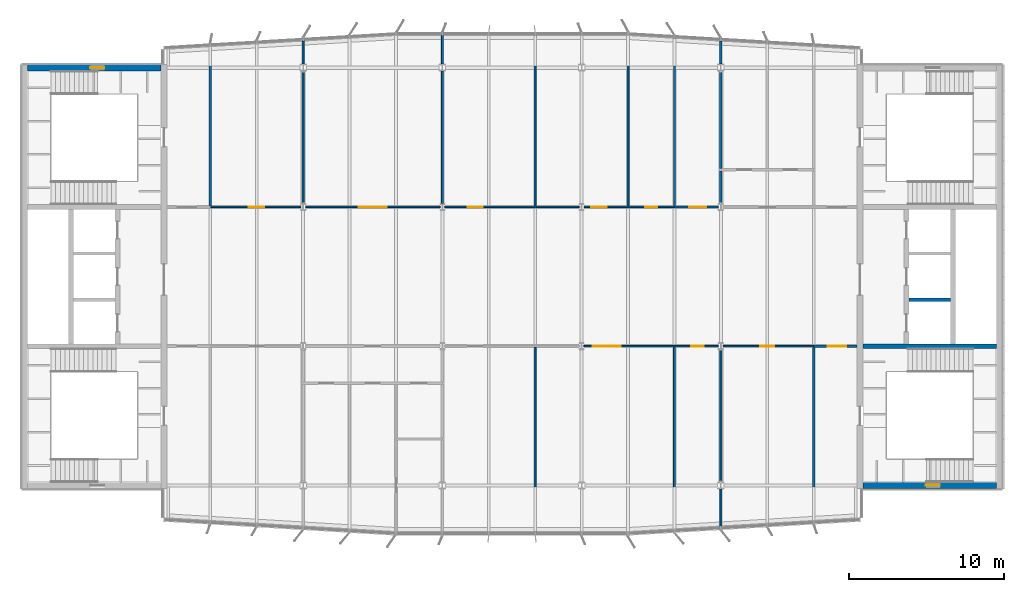
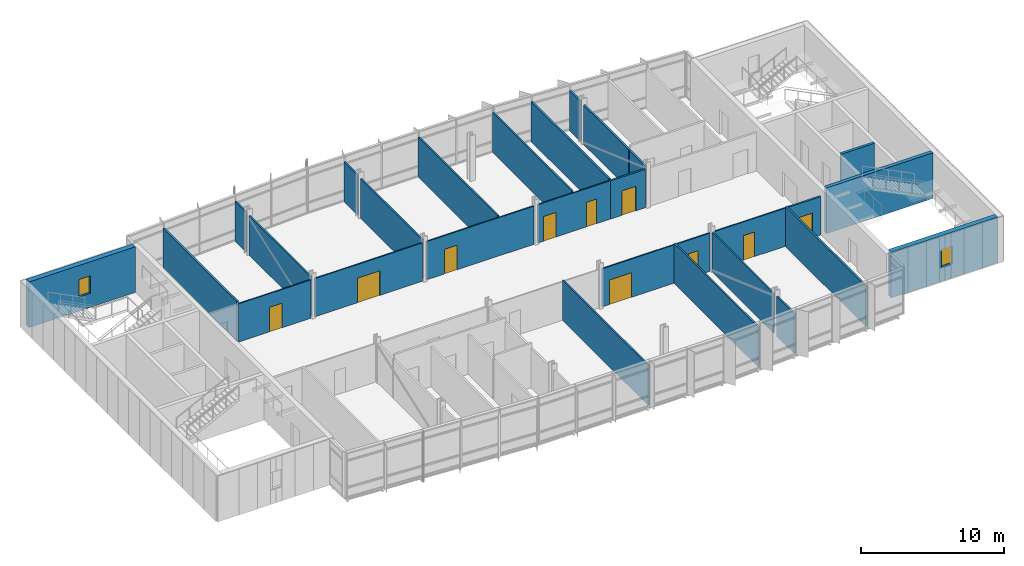
# One storey, part 13 of 18: 28 walls, 10 doors, 2 windows, 12 openings.
"""IFC4 building model written with IfcOpenShell, lengths in metres."""

import ifcopenshell
import ifcopenshell.guid

model = None  # the IFC model being written
_history = None  # IfcOwnerHistory: only IFC2X3 demands one
_inside = {}  # id of a spatial element -> (the spatial element, [elements in it])
_under = {}  # id of a project, library or spatial element -> (it, [spatial elements below it])
_declared = {}  # id of a project -> (the project, [libraries it declares])
_typed = {}  # id of a type object -> (the type object, [elements of that type])
_made_of = {}  # id of a material, layer set ... -> (it, [elements and type objects made of it])


def new_model(schema):
    """Start an empty IFC model of exactly this schema.

    Asked for "IFC4X3", IfcOpenShell would pick the latest addendum, in which some entities
    have other attributes; the version numbers below select the first issue.
    IFC2X3 requires an IfcOwnerHistory on every rooted entity: one is made here for all.
    """
    global model, _history
    if schema == "IFC4X3":
        model = ifcopenshell.file(schema_version=(4, 3, 0, 0))
    else:
        model = ifcopenshell.file(schema=schema)
    _inside.clear()
    _under.clear()
    _declared.clear()
    _typed.clear()
    _made_of.clear()
    _history = None
    if model.schema == "IFC2X3":
        org = make("IfcOrganization", Name="unknown")
        user = make(
            "IfcPersonAndOrganization",
            ThePerson=make("IfcPerson", FamilyName="unknown"),
            TheOrganization=org,
        )
        app = make(
            "IfcApplication",
            ApplicationDeveloper=org,
            Version="unknown",
            ApplicationFullName="unknown",
            ApplicationIdentifier="unknown",
        )
        _history = make(
            "IfcOwnerHistory",
            OwningUser=user,
            OwningApplication=app,
            ChangeAction="ADDED",
            CreationDate=0,
        )
    return model


def make(cls, **values):
    """One entity of the class cls with the attributes given. An attribute that is None is left unset."""
    return model.create_entity(
        cls, **{name: value for name, value in values.items() if value is not None}
    )


def rooted(cls, **values):
    """An entity with a GlobalId (a new one), such as an element, a storey or a relation."""
    return make(cls, GlobalId=ifcopenshell.guid.new(), OwnerHistory=_history, **values)


def si_unit(unit_type, name, prefix=None):
    """IfcSIUnit, for example si_unit("LENGTHUNIT", "METRE", prefix="MILLI")."""
    return make("IfcSIUnit", UnitType=unit_type, Prefix=prefix, Name=name)


def assignment(units):
    """IfcUnitAssignment: the units of a project."""
    return None if units is None else make("IfcUnitAssignment", Units=units)


def point(xyz):
    """IfcCartesianPoint."""
    return None if xyz is None else make("IfcCartesianPoint", Coordinates=xyz)


def direction(xyz):
    """IfcDirection."""
    return None if xyz is None else make("IfcDirection", DirectionRatios=xyz)


def frame(location, z_axis=None, x_axis=None):
    """IfcAxis2Placement3D, a coordinate frame: its origin and axes. An axis left out is left unset."""
    return make(
        "IfcAxis2Placement3D",
        Location=point(location),
        Axis=direction(z_axis),
        RefDirection=direction(x_axis),
    )


def frame_2d(location, x_axis=None):
    """IfcAxis2Placement2D, a coordinate frame in the plane: its origin and x axis."""
    return make(
        "IfcAxis2Placement2D", Location=point(location), RefDirection=direction(x_axis)
    )


def origin():
    """The frame at (0, 0, 0) with its axes left unset."""
    return frame((0.0, 0.0, 0.0))


def place(relative_to, where):
    """IfcLocalPlacement: puts the frame where relative to a parent placement (None: the world)."""
    return make(
        "IfcLocalPlacement", PlacementRelTo=relative_to, RelativePlacement=where
    )


def context(
    kind, dimensions, precision=None, world=None, true_north=None, identifier=None
):
    """IfcGeometricRepresentationContext, for example the 3D "Model" context."""
    return make(
        "IfcGeometricRepresentationContext",
        ContextIdentifier=identifier,
        ContextType=kind,
        CoordinateSpaceDimension=dimensions,
        Precision=precision,
        WorldCoordinateSystem=world,
        TrueNorth=true_north,
    )


def subcontext(parent, identifier, kind, view, scale=None):
    """IfcGeometricRepresentationSubContext, for example "Body" below "Model"."""
    return make(
        "IfcGeometricRepresentationSubContext",
        ContextIdentifier=identifier,
        ContextType=kind,
        ParentContext=parent,
        TargetScale=scale,
        TargetView=view,
    )


def project(units=None, contexts=None):
    """IfcProject with its units and contexts."""
    return rooted(
        "IfcProject",
        Name="project",
        RepresentationContexts=contexts,
        UnitsInContext=assignment(units),
    )


def spatial(cls, under=None, at=None, **own):
    """A site, building, storey or space (cls), placed at a placement, below another one or the project."""
    s = rooted(cls, ObjectPlacement=at, **own)
    if under is not None:
        _under.setdefault(under.id(), (under, []))[1].append(s)
    return s


def profile(cls, at=None, kind="AREA", **sizes):
    """A parametric profile (cls). Its sizes go by their IFC names, for example OverallWidth=200.0."""
    return make(cls, ProfileType=kind, Position=at, **sizes)


def rectangle(**sizes):
    """IfcRectangleProfileDef."""
    return profile("IfcRectangleProfileDef", **sizes)


def extrude(swept, where, along, depth):
    """IfcExtrudedAreaSolid: the profile swept, set in the frame where, extruded along a direction by depth."""
    return make(
        "IfcExtrudedAreaSolid",
        SweptArea=swept,
        Position=where,
        ExtrudedDirection=direction(along),
        Depth=depth,
    )


def shape(context_of_items, identifier, shape_type, items):
    """IfcShapeRepresentation: the items that make up one representation, for example the "Body"."""
    return make(
        "IfcShapeRepresentation",
        ContextOfItems=context_of_items,
        RepresentationIdentifier=identifier,
        RepresentationType=shape_type,
        Items=items,
    )


def material(Name=None, Category=None):
    """IfcMaterial."""
    return make("IfcMaterial", Name=Name, Category=Category)


def layer(
    of_material, thickness, ventilated=None, Name=None, Category=None, Priority=None
):
    """IfcMaterialLayer: one layer of a wall or slab, of a material (None: an air gap)."""
    return make(
        "IfcMaterialLayer",
        Material=of_material,
        LayerThickness=thickness,
        IsVentilated=ventilated,
        Name=Name,
        Category=Category,
        Priority=Priority,
    )


def layer_set(layers, Name=None):
    """IfcMaterialLayerSet."""
    return make("IfcMaterialLayerSet", MaterialLayers=layers, LayerSetName=Name)


def made_of(thing, what):
    """Note that an element or type object is made of a material, layer set ...; save() writes the relation."""
    if what is not None:
        _made_of.setdefault(what.id(), (what, []))[1].append(thing)
    return thing


def type_object(cls, material=None, **own):
    """A type object (cls), such as IfcWallType, which elements share."""
    return made_of(rooted(cls, **own), material)


def element(
    cls,
    number,
    at=None,
    inside=None,
    cuts=None,
    type_object=None,
    material=None,
    context=None,
    identifier="Body",
    shape_type=None,
    held_by="IfcProductDefinitionShape",
    body=None,
    shapes=None,
    **own,
):
    """One element of the class cls, such as IfcWall. Its Tag is "e" and its number.

    at: its placement. inside: the storey or other place that contains it. cuts: it is an
    opening in that element (IfcRelVoidsElement). A single representation is given by context,
    identifier, shape_type and body (its items); several are given by shapes. held_by: the class
    of the entity that holds the representations. save() writes the other relations.
    """
    e = rooted(cls, Tag="e%d" % number, ObjectPlacement=at, **own)
    if body is not None:
        shapes = [shape(context, identifier, shape_type, body)]
    if shapes is not None:
        e.Representation = make(held_by, Representations=shapes)
    if inside is not None:
        _inside.setdefault(inside.id(), (inside, []))[1].append(e)
    if cuts is not None:
        rooted(
            "IfcRelVoidsElement", RelatingBuildingElement=cuts, RelatedOpeningElement=e
        )
    if type_object is not None:
        _typed.setdefault(type_object.id(), (type_object, []))[1].append(e)
    return made_of(e, material)


def fill(opening, filler):
    """IfcRelFillsElement: the door or window that sits in an opening."""
    return rooted(
        "IfcRelFillsElement",
        RelatingOpeningElement=opening,
        RelatedBuildingElement=filler,
    )


def aggregate(whole, parts):
    """IfcRelAggregates: a whole, such as a stair, and the parts it consists of."""
    return rooted("IfcRelAggregates", RelatingObject=whole, RelatedObjects=parts)


def save(model, path):
    """Write the relations noted so far, then the file.

    IfcRelAggregates (storeys below a building ...), IfcRelContainedInSpatialStructure (elements
    in a storey), IfcRelDefinesByType, IfcRelAssociatesMaterial and IfcRelDeclares: one each for
    every whole, place, type object, material and project.
    """
    for whole, parts in _under.values():
        aggregate(whole, parts)
    for where, things in _inside.values():
        rooted(
            "IfcRelContainedInSpatialStructure",
            RelatedElements=things,
            RelatingStructure=where,
        )
    for kind, things in _typed.values():
        rooted("IfcRelDefinesByType", RelatedObjects=things, RelatingType=kind)
    for what, things in _made_of.values():
        rooted("IfcRelAssociatesMaterial", RelatedObjects=things, RelatingMaterial=what)
    for by, libraries in _declared.values():
        rooted("IfcRelDeclares", RelatingContext=by, RelatedDefinitions=libraries)
    model.write(path)


model = new_model("IFC4")

# Units and contexts
model_context = context("Model", 3, precision=1e-05, world=origin(), true_north=direction((0.0, 1.0)))
body_context = subcontext(model_context, "Body", "Model", "MODEL_VIEW")
ifc_project = project(units=[si_unit("LENGTHUNIT", "METRE"), si_unit("AREAUNIT", "SQUARE_METRE"), si_unit("VOLUMEUNIT", "CUBIC_METRE"), si_unit("PLANEANGLEUNIT", "RADIAN"), si_unit("MASSUNIT", "GRAM", prefix="KILO")], contexts=[model_context])

# Site, building, storey
site_placement = place(None, origin())
site = spatial("IfcSite", under=ifc_project, at=site_placement, CompositionType="ELEMENT")
building_placement = place(site_placement, origin())
building = spatial("IfcBuilding", under=site, at=building_placement, Name="Azimuth Sports and Learning Centre", CompositionType="ELEMENT")
storey_placement = place(building_placement, frame((0.0, 0.0, 55.800048828125)))
storey = spatial("IfcBuildingStorey", under=building, at=storey_placement, Name="L12", CompositionType="ELEMENT", Elevation=55.800048828125)

# Wall
ifc_material_1 = material(Name="Dense masonry blockwork", Category="masonry")
ifc_layer_1 = layer(ifc_material_1, 0.199951171875)
ifc_layer_set_1 = layer_set([ifc_layer_1], Name="Dense masonry blockwork")
wall_type_1 = type_object("IfcWallType", Name="Blockwork wall 200 EI 120", PredefinedType="SOLIDWALL", material=ifc_layer_set_1)
wall_1_placement = place(storey_placement, frame((111.14990234375, 102.0, 0.0), z_axis=(0.0, 0.0, 1.0), x_axis=(1.0, 0.0, 0.0)))
element("IfcWall", 1, at=wall_1_placement, inside=storey, type_object=wall_type_1, Name="SD-E-1-L12", PredefinedType="SOLIDWALL", context=body_context, shape_type="SweptSolid", body=[
    extrude(rectangle(XDim=2.7001953125, YDim=0.199951171875, at=frame_2d((1.35009765625, 0.0))), origin(), (0.0, 0.0, 1.0), 3.89990234375),
])

# Wall, openings, doors
ifc_material_2 = material(Name="Gypsum board on steel studs", Category="steel")
ifc_layer_2 = layer(ifc_material_2, 0.10009765625)
ifc_layer_set_2 = layer_set([ifc_layer_2], Name="Gypsum board on steel studs")
wall_type_2 = type_object("IfcWallType", Name="Partition 100 EI 30", PredefinedType="PARTITIONING", material=ifc_layer_set_2)
wall_2_placement = place(storey_placement, frame((90.153564453125, 99.0, 0.0), z_axis=(0.0, 0.0, 1.0), x_axis=(1.0, 0.0, 0.0)))
wall_2 = element("IfcWall", 2, at=wall_2_placement, inside=storey, type_object=wall_type_2, Name="Partition Meeting Room 12.13 / Staff Room 12.14", PredefinedType="PARTITIONING", context=body_context, shape_type="SweptSolid", body=[
    extrude(rectangle(XDim=8.69287109375, YDim=0.10009765625, at=frame_2d((4.346435546875, 0.0))), origin(), (0.0, 0.0, 1.0), 3.27001953125),
])
opening_1_placement = place(wall_2_placement, frame((0.571533203125, 0.0, 0.0)))
opening_1 = element("IfcOpeningElement", 3, at=opening_1_placement, cuts=wall_2, Name="Opening D12-018", PredefinedType="OPENING", context=body_context, shape_type="SweptSolid", body=[
    extrude(rectangle(XDim=1.800048828125, YDim=2.10009765625, at=frame_2d((0.89990234375, 1.050048828125))), frame((0.0, 0.06103515625, 0.0), z_axis=(0.0, -1.0, 0.0), x_axis=(1.0, 0.0, 0.0)), (0.0, 0.0, 1.0), 0.1220703125),
])
opening_2_placement = place(wall_2_placement, frame((6.946533203125, 0.0, 0.0)))
opening_2 = element("IfcOpeningElement", 4, at=opening_2_placement, cuts=wall_2, Name="Opening D12-019", PredefinedType="OPENING", context=body_context, shape_type="SweptSolid", body=[
    extrude(rectangle(XDim=0.800048828125, YDim=2.10009765625, at=frame_2d((0.39990234375, 1.050048828125))), frame((0.0, 0.06103515625, 0.0), z_axis=(0.0, -1.0, 0.0), x_axis=(1.0, 0.0, 0.0)), (0.0, 0.0, 1.0), 0.1220703125),
])
ifc_material_3 = material(Name="Painted steel door set", Category="steel")
door_type_1 = type_object("IfcDoorType", Name="Fire door FD30S 1800 x 2100 double leaf", OperationType="DOUBLE_DOOR_SINGLE_SWING", PredefinedType="DOOR", material=ifc_material_3)
door_1_placement = place(opening_1_placement, frame((1.800048828125, 0.0, 0.0), z_axis=(0.0, 0.0, 1.0), x_axis=(-1.0, 0.0, 0.0)))
door_1 = element("IfcDoor", 5, at=door_1_placement, inside=storey, type_object=door_type_1, Name="Door Staff Room 12.14 / Learning Street", OperationType="DOUBLE_DOOR_SINGLE_SWING", OverallHeight=2.10009765625, OverallWidth=1.800048828125, PredefinedType="DOOR", context=body_context, shape_type="SweptSolid", body=[
    extrude(rectangle(XDim=1.800048828125, YDim=2.10009765625, at=frame_2d((0.89990234375, 1.050048828125))), frame((0.0, 0.02490234375, 0.0), z_axis=(0.0, -1.0, 0.0), x_axis=(1.0, 0.0, 0.0)), (0.0, 0.0, 1.0), 0.050048828125),
])
fill(opening_1, door_1)
ifc_material_4 = material(Name="Painted steel door set", Category="steel")
door_type_2 = type_object("IfcDoorType", Name="Fire door FD30S 800 x 2100", OperationType="NOTDEFINED", PredefinedType="DOOR", material=ifc_material_4)
door_2_placement = place(opening_2_placement, frame((0.800048828125, 0.0, 0.0), z_axis=(0.0, 0.0, 1.0), x_axis=(-1.0, 0.0, 0.0)))
door_2 = element("IfcDoor", 6, at=door_2_placement, inside=storey, type_object=door_type_2, Name="Door Records Store 12.15 / Learning Street", OperationType="SINGLE_SWING_LEFT", OverallHeight=2.10009765625, OverallWidth=0.800048828125, PredefinedType="DOOR", context=body_context, shape_type="SweptSolid", body=[
    extrude(rectangle(XDim=0.800048828125, YDim=2.10009765625, at=frame_2d((0.39990234375, 1.050048828125))), frame((0.0, 0.02490234375, 0.0), z_axis=(0.0, -1.0, 0.0), x_axis=(1.0, 0.0, 0.0)), (0.0, 0.0, 1.0), 0.050048828125),
])
fill(opening_2, door_2)

# Wall, opening, door
wall_3_placement = place(storey_placement, frame((99.153564453125, 99.0, 0.0), z_axis=(0.0, 0.0, 1.0), x_axis=(1.0, 0.0, 0.0)))
wall_3 = element("IfcWall", 7, at=wall_3_placement, inside=storey, type_object=wall_type_2, Name="Partition Meeting Room 12.13 / Staff Room 12.14", PredefinedType="PARTITIONING", context=body_context, shape_type="SweptSolid", body=[
    extrude(rectangle(XDim=5.846435546875, YDim=0.10009765625, at=frame_2d((2.92333984375, 0.0))), origin(), (0.0, 0.0, 1.0), 3.27001953125),
])
opening_3_placement = place(wall_3_placement, frame((2.396484375, 0.0, 0.0)))
opening_3 = element("IfcOpeningElement", 8, at=opening_3_placement, cuts=wall_3, Name="Opening D12-020", PredefinedType="OPENING", context=body_context, shape_type="SweptSolid", body=[
    extrude(rectangle(XDim=0.89990234375, YDim=2.10009765625, at=frame_2d((0.449951171875, 1.050048828125))), frame((0.0, 0.06103515625, 0.0), z_axis=(0.0, -1.0, 0.0), x_axis=(1.0, 0.0, 0.0)), (0.0, 0.0, 1.0), 0.1220703125),
])
ifc_material_5 = material(Name="Painted steel door set", Category="steel")
door_type_3 = type_object("IfcDoorType", Name="Fire door FD30S 900 x 2100", OperationType="NOTDEFINED", PredefinedType="DOOR", material=ifc_material_5)
door_3_placement = place(opening_3_placement, frame((0.89990234375, 0.0, 0.0), z_axis=(0.0, 0.0, 1.0), x_axis=(-1.0, 0.0, 0.0)))
door_3 = element("IfcDoor", 9, at=door_3_placement, inside=storey, type_object=door_type_3, Name="Door Administration Office 12.16 / Learning Street", OperationType="SINGLE_SWING_RIGHT", OverallHeight=2.10009765625, OverallWidth=0.89990234375, PredefinedType="DOOR", context=body_context, shape_type="SweptSolid", body=[
    extrude(rectangle(XDim=0.89990234375, YDim=2.10009765625, at=frame_2d((0.449951171875, 1.050048828125))), frame((0.0, 0.02490234375, 0.0), z_axis=(0.0, -1.0, 0.0), x_axis=(1.0, 0.0, 0.0)), (0.0, 0.0, 1.0), 0.050048828125),
])
fill(opening_3, door_3)

wall_4_placement = place(storey_placement, frame((66.0, 108.0, 0.0), z_axis=(0.0, 0.0, 1.0), x_axis=(1.0, 0.0, 0.0)))
wall_4 = element("IfcWall", 10, at=wall_4_placement, inside=storey, type_object=wall_type_2, Name="Partition Classroom 12.17 / Teachers Workroom 12.18", PredefinedType="PARTITIONING", context=body_context, shape_type="SweptSolid", body=[
    extrude(rectangle(XDim=5.846435546875, YDim=0.10009765625, at=frame_2d((2.92333984375, 0.0))), origin(), (0.0, 0.0, 1.0), 3.27001953125),
])
opening_4_placement = place(wall_4_placement, frame((2.5, 0.0, 0.0)))
opening_4 = element("IfcOpeningElement", 11, at=opening_4_placement, cuts=wall_4, Name="Opening D12-021", PredefinedType="OPENING", context=body_context, shape_type="SweptSolid", body=[
    extrude(rectangle(XDim=1.0, YDim=2.10009765625, at=frame_2d((0.5, 1.050048828125))), frame((0.0, 0.06103515625, 0.0), z_axis=(0.0, -1.0, 0.0), x_axis=(1.0, 0.0, 0.0)), (0.0, 0.0, 1.0), 0.1220703125),
])
ifc_material_6 = material(Name="Painted steel door set", Category="steel")
door_type_4 = type_object("IfcDoorType", Name="Fire door FD30S 1000 x 2100", OperationType="NOTDEFINED", PredefinedType="DOOR", material=ifc_material_6)
door_4_placement = place(opening_4_placement, origin())
door_4 = element("IfcDoor", 12, at=door_4_placement, inside=storey, type_object=door_type_4, Name="Door Classroom 12.17 / Learning Street", OperationType="SINGLE_SWING_RIGHT", OverallHeight=2.10009765625, OverallWidth=1.0, PredefinedType="DOOR", context=body_context, shape_type="SweptSolid", body=[
    extrude(rectangle(XDim=1.0, YDim=2.10009765625, at=frame_2d((0.5, 1.050048828125))), frame((0.0, 0.02490234375, 0.0), z_axis=(0.0, -1.0, 0.0), x_axis=(1.0, 0.0, 0.0)), (0.0, 0.0, 1.0), 0.050048828125),
])
fill(opening_4, door_4)

wall_5_placement = place(storey_placement, frame((72.153564453125, 108.0, 0.0), z_axis=(0.0, 0.0, 1.0), x_axis=(1.0, 0.0, 0.0)))
wall_5 = element("IfcWall", 13, at=wall_5_placement, inside=storey, type_object=wall_type_2, Name="Partition Classroom 12.17 / Teachers Workroom 12.18", PredefinedType="PARTITIONING", context=body_context, shape_type="SweptSolid", body=[
    extrude(rectangle(XDim=8.69287109375, YDim=0.10009765625, at=frame_2d((4.346435546875, 0.0))), origin(), (0.0, 0.0, 1.0), 3.27001953125),
])
opening_5_placement = place(wall_5_placement, frame((3.446533203125, 0.0, 0.0)))
opening_5 = element("IfcOpeningElement", 14, at=opening_5_placement, cuts=wall_5, Name="Opening D12-022", PredefinedType="OPENING", context=body_context, shape_type="SweptSolid", body=[
    extrude(rectangle(XDim=1.800048828125, YDim=2.10009765625, at=frame_2d((0.89990234375, 1.050048828125))), frame((0.0, 0.06103515625, 0.0), z_axis=(0.0, -1.0, 0.0), x_axis=(1.0, 0.0, 0.0)), (0.0, 0.0, 1.0), 0.1220703125),
])
door_5_placement = place(opening_5_placement, origin())
door_5 = element("IfcDoor", 15, at=door_5_placement, inside=storey, type_object=door_type_1, Name="Door Teachers Workroom 12.18 / Learning Street", OperationType="DOUBLE_DOOR_SINGLE_SWING", OverallHeight=2.10009765625, OverallWidth=1.800048828125, PredefinedType="DOOR", context=body_context, shape_type="SweptSolid", body=[
    extrude(rectangle(XDim=1.800048828125, YDim=2.10009765625, at=frame_2d((0.89990234375, 1.050048828125))), frame((0.0, 0.02490234375, 0.0), z_axis=(0.0, -1.0, 0.0), x_axis=(1.0, 0.0, 0.0)), (0.0, 0.0, 1.0), 0.050048828125),
])
fill(opening_5, door_5)

wall_6_placement = place(storey_placement, frame((81.153564453125, 108.0, 0.0), z_axis=(0.0, 0.0, 1.0), x_axis=(1.0, 0.0, 0.0)))
wall_6 = element("IfcWall", 16, at=wall_6_placement, inside=storey, type_object=wall_type_2, Name="Partition Classroom 12.17 / Teachers Workroom 12.18", PredefinedType="PARTITIONING", context=body_context, shape_type="SweptSolid", body=[
    extrude(rectangle(XDim=8.69287109375, YDim=0.10009765625, at=frame_2d((4.346435546875, 0.0))), origin(), (0.0, 0.0, 1.0), 3.27001953125),
])
opening_6_placement = place(wall_6_placement, frame((1.471435546875, 0.0, 0.0)))
opening_6 = element("IfcOpeningElement", 17, at=opening_6_placement, cuts=wall_6, Name="Opening D12-023", PredefinedType="OPENING", context=body_context, shape_type="SweptSolid", body=[
    extrude(rectangle(XDim=1.0, YDim=2.10009765625, at=frame_2d((0.5, 1.050048828125))), frame((0.0, 0.06103515625, 0.0), z_axis=(0.0, -1.0, 0.0), x_axis=(1.0, 0.0, 0.0)), (0.0, 0.0, 1.0), 0.1220703125),
])
door_6_placement = place(opening_6_placement, origin())
door_6 = element("IfcDoor", 18, at=door_6_placement, inside=storey, type_object=door_type_4, Name="Door Classroom 12.19 / Learning Street", OperationType="SINGLE_SWING_LEFT", OverallHeight=2.10009765625, OverallWidth=1.0, PredefinedType="DOOR", context=body_context, shape_type="SweptSolid", body=[
    extrude(rectangle(XDim=1.0, YDim=2.10009765625, at=frame_2d((0.5, 1.050048828125))), frame((0.0, 0.02490234375, 0.0), z_axis=(0.0, -1.0, 0.0), x_axis=(1.0, 0.0, 0.0)), (0.0, 0.0, 1.0), 0.050048828125),
])
fill(opening_6, door_6)

# Wall, openings, doors
wall_7_placement = place(storey_placement, frame((90.153564453125, 108.0, 0.0), z_axis=(0.0, 0.0, 1.0), x_axis=(1.0, 0.0, 0.0)))
wall_7 = element("IfcWall", 19, at=wall_7_placement, inside=storey, type_object=wall_type_2, Name="Partition Classroom 12.17 / Teachers Workroom 12.18", PredefinedType="PARTITIONING", context=body_context, shape_type="SweptSolid", body=[
    extrude(rectangle(XDim=5.846435546875, YDim=0.10009765625, at=frame_2d((2.92333984375, 0.0))), origin(), (0.0, 0.0, 1.0), 3.27001953125),
])
opening_7_placement = place(wall_7_placement, frame((0.471435546875, 0.0, 0.0)))
opening_7 = element("IfcOpeningElement", 20, at=opening_7_placement, cuts=wall_7, Name="Opening D12-024", PredefinedType="OPENING", context=body_context, shape_type="SweptSolid", body=[
    extrude(rectangle(XDim=1.0, YDim=2.10009765625, at=frame_2d((0.5, 1.050048828125))), frame((0.0, 0.06103515625, 0.0), z_axis=(0.0, -1.0, 0.0), x_axis=(1.0, 0.0, 0.0)), (0.0, 0.0, 1.0), 0.1220703125),
])
opening_8_placement = place(wall_7_placement, frame((3.946533203125, 0.0, 0.0)))
opening_8 = element("IfcOpeningElement", 21, at=opening_8_placement, cuts=wall_7, Name="Opening D12-025", PredefinedType="OPENING", context=body_context, shape_type="SweptSolid", body=[
    extrude(rectangle(XDim=0.800048828125, YDim=2.10009765625, at=frame_2d((0.39990234375, 1.050048828125))), frame((0.0, 0.06103515625, 0.0), z_axis=(0.0, -1.0, 0.0), x_axis=(1.0, 0.0, 0.0)), (0.0, 0.0, 1.0), 0.1220703125),
])
door_7_placement = place(opening_7_placement, origin())
door_7 = element("IfcDoor", 22, at=door_7_placement, inside=storey, type_object=door_type_4, Name="Door Classroom 12.20 / Learning Street", OperationType="SINGLE_SWING_LEFT", OverallHeight=2.10009765625, OverallWidth=1.0, PredefinedType="DOOR", context=body_context, shape_type="SweptSolid", body=[
    extrude(rectangle(XDim=1.0, YDim=2.10009765625, at=frame_2d((0.5, 1.050048828125))), frame((0.0, 0.02490234375, 0.0), z_axis=(0.0, -1.0, 0.0), x_axis=(1.0, 0.0, 0.0)), (0.0, 0.0, 1.0), 0.050048828125),
])
fill(opening_7, door_7)
door_8_placement = place(opening_8_placement, origin())
door_8 = element("IfcDoor", 23, at=door_8_placement, inside=storey, type_object=door_type_2, Name="Door Cleaner Store 12.21 / Learning Street", OperationType="SINGLE_SWING_LEFT", OverallHeight=2.10009765625, OverallWidth=0.800048828125, PredefinedType="DOOR", context=body_context, shape_type="SweptSolid", body=[
    extrude(rectangle(XDim=0.800048828125, YDim=2.10009765625, at=frame_2d((0.39990234375, 1.050048828125))), frame((0.0, 0.02490234375, 0.0), z_axis=(0.0, -1.0, 0.0), x_axis=(1.0, 0.0, 0.0)), (0.0, 0.0, 1.0), 0.050048828125),
])
fill(opening_8, door_8)

# Walls
ifc_material_7 = material(Name="Gypsum board on steel studs, acoustic", Category="steel")
ifc_layer_3 = layer(ifc_material_7, 0.125)
ifc_layer_set_3 = layer_set([ifc_layer_3], Name="Gypsum board on steel studs, acoustic")
wall_type_3 = type_object("IfcWallType", Name="Partition 125 EI 60", PredefinedType="PARTITIONING", material=ifc_layer_set_3)
wall_8_placement = place(storey_placement, frame((72.0, 108.216064453125, 0.0), z_axis=(0.0, 0.0, 1.0), x_axis=(0.0, 1.0, 0.0)))
element("IfcWall", 24, at=wall_8_placement, inside=storey, type_object=wall_type_3, Name="Partition Classroom 12.17 / Teachers Workroom 12.18", PredefinedType="PARTITIONING", context=body_context, shape_type="SweptSolid", body=[
    extrude(rectangle(XDim=8.556396484375, YDim=0.125, at=frame_2d((4.2783203125, 0.0))), origin(), (0.0, 0.0, 1.0), 3.369873046875),
])
wall_9_placement = place(storey_placement, frame((72.0, 117.2275390625, 0.0), z_axis=(0.0, 0.0, 1.0), x_axis=(0.0, 1.0, 0.0)))
element("IfcWall", 25, at=wall_9_placement, inside=storey, type_object=wall_type_3, Name="Partition Classroom 12.17 / Teachers Workroom 12.18", PredefinedType="PARTITIONING", context=body_context, shape_type="SweptSolid", body=[
    extrude(rectangle(XDim=1.512451171875, YDim=0.125, at=frame_2d((0.75634765625, 0.0))), origin(), (0.0, 0.0, 1.0), 3.409912109375),
])
wall_10_placement = place(storey_placement, frame((81.0, 108.216064453125, 0.0), z_axis=(0.0, 0.0, 1.0), x_axis=(0.0, 1.0, 0.0)))
element("IfcWall", 26, at=wall_10_placement, inside=storey, type_object=wall_type_3, Name="Partition Teachers Workroom 12.18 / Classroom 12.19", PredefinedType="PARTITIONING", context=body_context, shape_type="SweptSolid", body=[
    extrude(rectangle(XDim=8.556396484375, YDim=0.125, at=frame_2d((4.2783203125, 0.0))), origin(), (0.0, 0.0, 1.0), 3.369873046875),
])
wall_11_placement = place(storey_placement, frame((81.0, 117.2275390625, 0.0), z_axis=(0.0, 0.0, 1.0), x_axis=(0.0, 1.0, 0.0)))
element("IfcWall", 27, at=wall_11_placement, inside=storey, type_object=wall_type_3, Name="Partition Teachers Workroom 12.18 / Classroom 12.19", PredefinedType="PARTITIONING", context=body_context, shape_type="SweptSolid", body=[
    extrude(rectangle(XDim=1.87255859375, YDim=0.125, at=frame_2d((0.936279296875, 0.0))), origin(), (0.0, 0.0, 1.0), 3.409912109375),
])
wall_12_placement = place(storey_placement, frame((87.0, 87.0, 0.0), z_axis=(0.0, 0.0, 1.0), x_axis=(0.0, 1.0, 0.0)))
element("IfcWall", 28, at=wall_12_placement, inside=storey, type_object=wall_type_3, Name="Partition Meeting Room 12.13 / Staff Room 12.14", PredefinedType="PARTITIONING", context=body_context, shape_type="SweptSolid", body=[
    extrude(rectangle(XDim=11.949951171875, YDim=0.125, at=frame_2d((5.97509765625, 0.0))), origin(), (0.0, 0.0, 1.0), 3.409912109375),
])
for number, where, z_axis, x_axis, name in (
    (29, (87.0, 108.050048828125, 0.0), (0.0, 0.0, 1.0), (0.0, 1.0, 0.0), "Partition Classroom 12.19 / Classroom 12.20"),
    (30, (93.0, 108.050048828125, 0.0), (0.0, 0.0, 1.0), (0.0, 1.0, 0.0), "Partition Classroom 12.20 / Cleaner Store 12.21"),
):
    element("IfcWall", number, at=place(storey_placement, frame(where, z_axis=z_axis, x_axis=x_axis)), inside=storey, type_object=wall_type_3, Name=name, PredefinedType="PARTITIONING", context=body_context, shape_type="SweptSolid", body=[
        extrude(rectangle(XDim=11.050048828125, YDim=0.125, at=frame_2d((5.52490234375, 0.0))), origin(), (0.0, 0.0, 1.0), 3.409912109375),
    ])
wall_13_placement = place(storey_placement, frame((96.0, 87.179931640625, 0.0), z_axis=(0.0, 0.0, 1.0), x_axis=(0.0, 1.0, 0.0)))
element("IfcWall", 31, at=wall_13_placement, inside=storey, type_object=wall_type_3, Name="Partition Staff Room 12.14 / Records Store 12.15", PredefinedType="PARTITIONING", context=body_context, shape_type="SweptSolid", body=[
    extrude(rectangle(XDim=11.77001953125, YDim=0.125, at=frame_2d((5.885009765625, 0.0))), origin(), (0.0, 0.0, 1.0), 3.409912109375),
])
wall_14_placement = place(storey_placement, frame((99.0, 87.360107421875, 0.0), z_axis=(0.0, 0.0, 1.0), x_axis=(0.0, 1.0, 0.0)))
element("IfcWall", 32, at=wall_14_placement, inside=storey, type_object=wall_type_3, Name="Partition Records Store 12.15 / Administration Office 12.16", PredefinedType="PARTITIONING", context=body_context, shape_type="SweptSolid", body=[
    extrude(rectangle(XDim=2.412353515625, YDim=0.125, at=frame_2d((1.2060546875, 0.0))), origin(), (0.0, 0.0, 1.0), 3.409912109375),
])
wall_15_placement = place(storey_placement, frame((99.0, 90.2275390625, 0.0), z_axis=(0.0, 0.0, 1.0), x_axis=(0.0, 1.0, 0.0)))
element("IfcWall", 33, at=wall_15_placement, inside=storey, type_object=wall_type_3, Name="Partition Records Store 12.15 / Administration Office 12.16", PredefinedType="PARTITIONING", context=body_context, shape_type="SweptSolid", body=[
    extrude(rectangle(XDim=8.556396484375, YDim=0.125, at=frame_2d((4.2783203125, 0.0))), origin(), (0.0, 0.0, 1.0), 3.369873046875),
])

# Wall, opening, door
ifc_material_8 = material(Name="Lightweight blockwork, rendered", Category="masonry")
ifc_layer_4 = layer(ifc_material_8, 0.14990234375)
ifc_layer_set_4 = layer_set([ifc_layer_4], Name="Lightweight blockwork, rendered")
wall_type_4 = type_object("IfcWallType", Name="Partition 150 EI 60", PredefinedType="PARTITIONING", material=ifc_layer_set_4)
wall_16_placement = place(storey_placement, frame((105.0, 99.0, 0.0), z_axis=(0.0, 0.0, 1.0), x_axis=(1.0, 0.0, 0.0)))
wall_16 = element("IfcWall", 34, at=wall_16_placement, inside=storey, type_object=wall_type_4, Name="Partition Stair Lobby E1 12.03 / Learning Street", PredefinedType="PARTITIONING", context=body_context, shape_type="SweptSolid", body=[
    extrude(rectangle(XDim=2.800048828125, YDim=0.14990234375, at=frame_2d((1.39990234375, 0.0))), origin(), (0.0, 0.0, 1.0), 3.27001953125),
])
opening_9_placement = place(wall_16_placement, frame((0.89990234375, 0.0, 0.0)))
opening_9 = element("IfcOpeningElement", 35, at=opening_9_placement, cuts=wall_16, Name="Opening D12-013", PredefinedType="OPENING", context=body_context, shape_type="SweptSolid", body=[
    extrude(rectangle(XDim=1.199951171875, YDim=2.10009765625, at=frame_2d((0.60009765625, 1.050048828125))), frame((0.0, 0.0859375, 0.0), z_axis=(0.0, -1.0, 0.0), x_axis=(1.0, 0.0, 0.0)), (0.0, 0.0, 1.0), 0.171875),
])
ifc_material_9 = material(Name="Painted steel door set", Category="steel")
door_type_5 = type_object("IfcDoorType", Name="Fire door FD60 1200 x 2100", OperationType="NOTDEFINED", PredefinedType="DOOR", material=ifc_material_9)
door_9_placement = place(opening_9_placement, frame((1.199951171875, 0.0, 0.0), z_axis=(0.0, 0.0, 1.0), x_axis=(-1.0, 0.0, 0.0)))
door_9 = element("IfcDoor", 36, at=door_9_placement, inside=storey, type_object=door_type_5, Name="Door Stair Lobby E1 12.03 / Learning Street", OperationType="SINGLE_SWING_LEFT", OverallHeight=2.10009765625, OverallWidth=1.199951171875, PredefinedType="DOOR", context=body_context, shape_type="SweptSolid", body=[
    extrude(rectangle(XDim=1.199951171875, YDim=2.10009765625, at=frame_2d((0.60009765625, 1.050048828125))), frame((0.0, 0.02490234375, 0.0), z_axis=(0.0, -1.0, 0.0), x_axis=(1.0, 0.0, 0.0)), (0.0, 0.0, 1.0), 0.050048828125),
])
fill(opening_9, door_9)

wall_17_placement = place(storey_placement, frame((96.0, 108.0, 0.0), z_axis=(0.0, 0.0, 1.0), x_axis=(1.0, 0.0, 0.0)))
wall_17 = element("IfcWall", 37, at=wall_17_placement, inside=storey, type_object=wall_type_4, Name="Partition Stair Lobby E2 12.04 / First Aid Room 12.22", PredefinedType="PARTITIONING", context=body_context, shape_type="SweptSolid", body=[
    extrude(rectangle(XDim=2.846435546875, YDim=0.14990234375, at=frame_2d((1.42333984375, 0.0))), origin(), (0.0, 0.0, 1.0), 3.27001953125),
])
opening_10_placement = place(wall_17_placement, frame((0.949951171875, 0.0, 0.0)))
opening_10 = element("IfcOpeningElement", 38, at=opening_10_placement, cuts=wall_17, Name="Opening D12-026", PredefinedType="OPENING", context=body_context, shape_type="SweptSolid", body=[
    extrude(rectangle(XDim=1.10009765625, YDim=2.10009765625, at=frame_2d((0.550048828125, 1.050048828125))), frame((0.0, 0.0859375, 0.0), z_axis=(0.0, -1.0, 0.0), x_axis=(1.0, 0.0, 0.0)), (0.0, 0.0, 1.0), 0.171875),
])
ifc_material_10 = material(Name="Painted steel door set", Category="steel")
door_type_6 = type_object("IfcDoorType", Name="Fire door FD60 1100 x 2100", OperationType="NOTDEFINED", PredefinedType="DOOR", material=ifc_material_10)
door_10_placement = place(opening_10_placement, origin())
door_10 = element("IfcDoor", 39, at=door_10_placement, inside=storey, type_object=door_type_6, Name="Door First Aid Room 12.22 / Learning Street", OperationType="SINGLE_SWING_RIGHT", OverallHeight=2.10009765625, OverallWidth=1.10009765625, PredefinedType="DOOR", context=body_context, shape_type="SweptSolid", body=[
    extrude(rectangle(XDim=1.10009765625, YDim=2.10009765625, at=frame_2d((0.550048828125, 1.050048828125))), frame((0.0, 0.02490234375, 0.0), z_axis=(0.0, -1.0, 0.0), x_axis=(1.0, 0.0, 0.0)), (0.0, 0.0, 1.0), 0.050048828125),
])
fill(opening_10, door_10)

# Walls
wall_18_placement = place(storey_placement, frame((66.0, 108.074951171875, 0.0), z_axis=(0.0, 0.0, 1.0), x_axis=(0.0, 1.0, 0.0)))
element("IfcWall", 40, at=wall_18_placement, inside=storey, type_object=wall_type_4, Name="Partition Stair Lobby W2 12.02 / Classroom 12.17", PredefinedType="PARTITIONING", context=body_context, shape_type="SweptSolid", body=[
    extrude(rectangle(XDim=10.304931640625, YDim=0.14990234375, at=frame_2d((5.15234375, 0.0))), origin(), (0.0, 0.0, 1.0), 3.409912109375),
])
wall_19_placement = place(storey_placement, frame((96.0, 108.074951171875, 0.0), z_axis=(0.0, 0.0, 1.0), x_axis=(0.0, 1.0, 0.0)))
element("IfcWall", 41, at=wall_19_placement, inside=storey, type_object=wall_type_4, Name="Partition Cleaner Store 12.21 / First Aid Room 12.22", PredefinedType="PARTITIONING", context=body_context, shape_type="SweptSolid", body=[
    extrude(rectangle(XDim=10.844970703125, YDim=0.14990234375, at=frame_2d((5.42236328125, 0.0))), origin(), (0.0, 0.0, 1.0), 3.409912109375),
])
wall_20_placement = place(storey_placement, frame((99.0, 108.216064453125, 0.0), z_axis=(0.0, 0.0, 1.0), x_axis=(0.0, 1.0, 0.0)))
element("IfcWall", 42, at=wall_20_placement, inside=storey, type_object=wall_type_4, Name="Partition First Aid Room 12.22 / WC Lobby 12.23", PredefinedType="PARTITIONING", context=body_context, shape_type="SweptSolid", body=[
    extrude(rectangle(XDim=2.10888671875, YDim=0.14990234375, at=frame_2d((1.054443359375, 0.0))), origin(), (0.0, 0.0, 1.0), 3.369873046875),
])
wall_21_placement = place(storey_placement, frame((99.0, 110.47509765625, 0.0), z_axis=(0.0, 0.0, 1.0), x_axis=(0.0, 1.0, 0.0)))
element("IfcWall", 43, at=wall_21_placement, inside=storey, type_object=wall_type_4, Name="Partition First Aid Room 12.22 / WC Lobby 12.23", PredefinedType="PARTITIONING", context=body_context, shape_type="SweptSolid", body=[
    extrude(rectangle(XDim=6.29736328125, YDim=0.14990234375, at=frame_2d((3.148681640625, 0.0))), origin(), (0.0, 0.0, 1.0), 3.369873046875),
])
wall_22_placement = place(storey_placement, frame((99.0, 117.2275390625, 0.0), z_axis=(0.0, 0.0, 1.0), x_axis=(0.0, 1.0, 0.0)))
element("IfcWall", 44, at=wall_22_placement, inside=storey, type_object=wall_type_4, Name="Partition First Aid Room 12.22 / WC Lobby 12.23", PredefinedType="PARTITIONING", context=body_context, shape_type="SweptSolid", body=[
    extrude(rectangle(XDim=1.512451171875, YDim=0.14990234375, at=frame_2d((0.75634765625, 0.0))), origin(), (0.0, 0.0, 1.0), 3.409912109375),
])
wall_23_placement = place(storey_placement, frame((105.0, 87.719970703125, 0.0), z_axis=(0.0, 0.0, 1.0), x_axis=(0.0, 1.0, 0.0)))
element("IfcWall", 45, at=wall_23_placement, inside=storey, type_object=wall_type_4, Name="Partition Stair Lobby E1 12.03 / Administration Office 12.16", PredefinedType="PARTITIONING", context=body_context, shape_type="SweptSolid", body=[
    extrude(rectangle(XDim=11.205078125, YDim=0.14990234375, at=frame_2d((5.6025390625, 0.0))), origin(), (0.0, 0.0, 1.0), 3.409912109375),
])
ifc_material_11 = material(Name="Concrete C40/50", Category="concrete")
ifc_layer_5 = layer(ifc_material_11, 0.300048828125)
ifc_layer_set_5 = layer_set([ifc_layer_5], Name="Concrete C40/50")
wall_type_5 = type_object("IfcWallType", Name="RC core wall 300", PredefinedType="SHEAR", material=ifc_layer_set_5)
wall_24_placement = place(storey_placement, frame((108.199951171875, 99.0, 0.0), z_axis=(0.0, 0.0, 1.0), x_axis=(1.0, 0.0, 0.0)))
element("IfcWall", 46, at=wall_24_placement, inside=storey, type_object=wall_type_5, Name="Core wall E D1 L12", PredefinedType="SHEAR", context=body_context, shape_type="SweptSolid", body=[
    extrude(rectangle(XDim=8.60009765625, YDim=0.300048828125, at=frame_2d((4.300048828125, 0.0))), origin(), (0.0, 0.0, 1.0), 3.89990234375),
])

# Wall, opening, window
ifc_material_12 = material(Name="Concrete C40/50", Category="concrete")
ifc_layer_6 = layer(ifc_material_12, 0.39990234375)
ifc_layer_set_6 = layer_set([ifc_layer_6], Name="Concrete C40/50")
wall_type_6 = type_object("IfcWallType", Name="RC external core wall 400", PredefinedType="SHEAR", material=ifc_layer_set_6)
wall_25_placement = place(storey_placement, frame((54.199951171875, 117.0, 0.0), z_axis=(0.0, 0.0, 1.0), x_axis=(1.0, 0.0, 0.0)))
wall_25 = element("IfcWall", 47, at=wall_25_placement, inside=storey, type_object=wall_type_6, Name="Core wall W N L12", PredefinedType="SHEAR", context=body_context, shape_type="SweptSolid", body=[
    extrude(rectangle(XDim=8.60009765625, YDim=0.39990234375, at=frame_2d((4.300048828125, 0.0))), origin(), (0.0, 0.0, 1.0), 3.89990234375),
])
opening_11_placement = place(wall_25_placement, frame((4.050048828125, 0.0, 1.199951171875)))
opening_11 = element("IfcOpeningElement", 48, at=opening_11_placement, cuts=wall_25, Name="Opening W12-004", PredefinedType="OPENING", context=body_context, shape_type="SweptSolid", body=[
    extrude(rectangle(XDim=0.89990234375, YDim=1.5, at=frame_2d((0.449951171875, 0.75))), frame((0.0, 0.2109375, 0.0), z_axis=(0.0, -1.0, 0.0), x_axis=(1.0, 0.0, 0.0)), (0.0, 0.0, 1.0), 0.421875),
])
ifc_material_13 = material(Name="Aluminium and glass", Category="aluminium")
window_type = type_object("IfcWindowType", Name="Stair window tower core 900x1500", PartitioningType="SINGLE_PANEL", PredefinedType="WINDOW", material=ifc_material_13)
window_1_placement = place(opening_11_placement, origin())
window_1 = element("IfcWindow", 49, at=window_1_placement, inside=storey, type_object=window_type, Name="Window W12-004", OverallHeight=1.5, OverallWidth=0.89990234375, PartitioningType="SINGLE_PANEL", PredefinedType="WINDOW", context=body_context, shape_type="SweptSolid", body=[
    extrude(rectangle(XDim=0.89990234375, YDim=1.5, at=frame_2d((0.449951171875, 0.75))), frame((0.0, 0.030029296875, 0.0), z_axis=(0.0, -1.0, 0.0), x_axis=(1.0, 0.0, 0.0)), (0.0, 0.0, 1.0), 0.06005859375),
])
fill(opening_11, window_1)

wall_26_placement = place(storey_placement, frame((108.199951171875, 90.0, 0.0), z_axis=(0.0, 0.0, 1.0), x_axis=(1.0, 0.0, 0.0)))
wall_26 = element("IfcWall", 50, at=wall_26_placement, inside=storey, type_object=wall_type_6, Name="Core wall E S L12", PredefinedType="SHEAR", context=body_context, shape_type="SweptSolid", body=[
    extrude(rectangle(XDim=8.60009765625, YDim=0.39990234375, at=frame_2d((4.300048828125, 0.0))), origin(), (0.0, 0.0, 1.0), 3.89990234375),
])
opening_12_placement = place(wall_26_placement, frame((4.050048828125, 0.0, 1.199951171875)))
opening_12 = element("IfcOpeningElement", 51, at=opening_12_placement, cuts=wall_26, Name="Opening W12-002", PredefinedType="OPENING", context=body_context, shape_type="SweptSolid", body=[
    extrude(rectangle(XDim=0.89990234375, YDim=1.5, at=frame_2d((0.449951171875, 0.75))), frame((0.0, 0.2109375, 0.0), z_axis=(0.0, -1.0, 0.0), x_axis=(1.0, 0.0, 0.0)), (0.0, 0.0, 1.0), 0.421875),
])
window_2_placement = place(opening_12_placement, origin())
window_2 = element("IfcWindow", 52, at=window_2_placement, inside=storey, type_object=window_type, Name="Window W12-002", OverallHeight=1.5, OverallWidth=0.89990234375, PartitioningType="SINGLE_PANEL", PredefinedType="WINDOW", context=body_context, shape_type="SweptSolid", body=[
    extrude(rectangle(XDim=0.89990234375, YDim=1.5, at=frame_2d((0.449951171875, 0.75))), frame((0.0, 0.030029296875, 0.0), z_axis=(0.0, -1.0, 0.0), x_axis=(1.0, 0.0, 0.0)), (0.0, 0.0, 1.0), 0.06005859375),
])
fill(opening_12, window_2)

save(model, "model.ifc")
